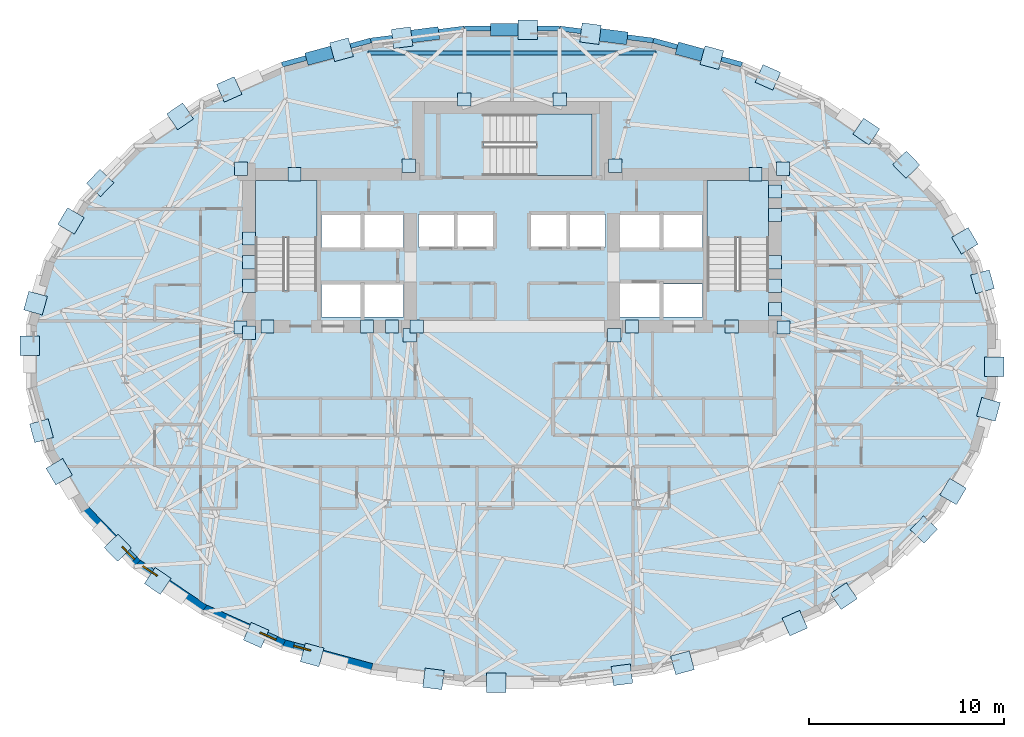
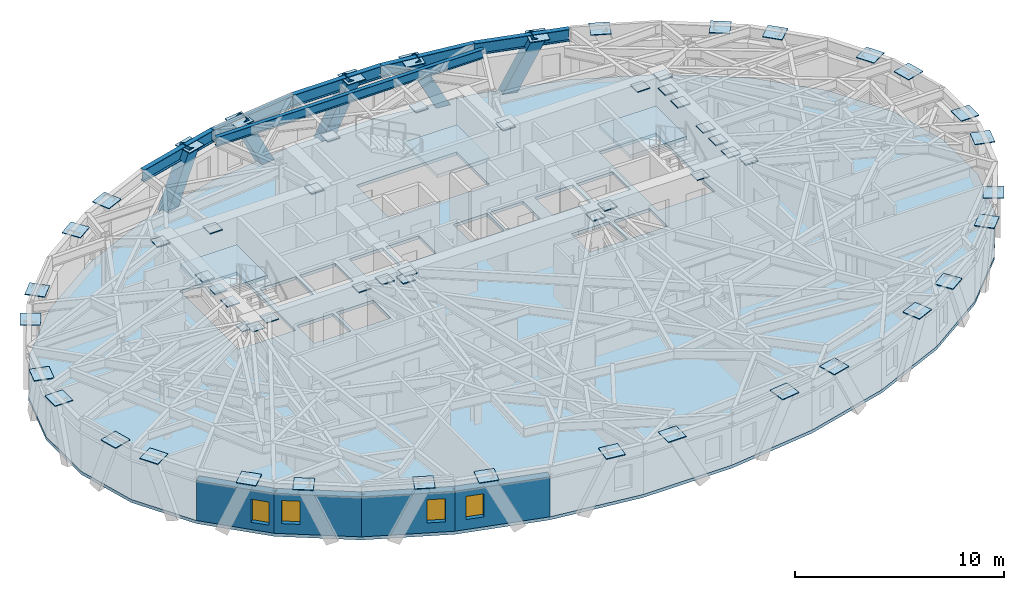
# One storey, part 5 of 15: 59 plates, 6 beams, 5 members, 4 slabs, 4 walls, 4 windows, 4 openings, 3 elements without a shape of their own.
"""IFC4 building model written with IfcOpenShell, lengths in metres."""

from ifc_helpers import new_model, si_unit, direction, frame, frame_2d, origin, origin_2d, place, context, subcontext, project, spatial, polyline, rectangle, hollow_rectangle, i_section, outline, extrude, material, layer, layer_set, material_profile, profile_set, type_object, element, fill, aggregate, save


model = new_model("IFC4")

# Units and contexts
model_context = context("Model", 3, precision=1e-05, world=origin(), true_north=direction((0.0, 1.0)))
body_context = subcontext(model_context, "Body", "Model", "MODEL_VIEW")
ifc_project = project(units=[si_unit("LENGTHUNIT", "METRE"), si_unit("AREAUNIT", "SQUARE_METRE"), si_unit("VOLUMEUNIT", "CUBIC_METRE"), si_unit("PLANEANGLEUNIT", "RADIAN"), si_unit("MASSUNIT", "GRAM", prefix="KILO")], contexts=[model_context])

# Site, building, storey
site_placement = place(None, origin())
site = spatial("IfcSite", under=ifc_project, at=site_placement, CompositionType="ELEMENT")
building_placement = place(site_placement, origin())
building = spatial("IfcBuilding", under=site, at=building_placement, Name="Keldmark Tower", CompositionType="ELEMENT")
storey_placement = place(building_placement, frame((0.0, 0.0, 159.800048828125)))
storey = spatial("IfcBuildingStorey", under=building, at=storey_placement, Name="L43", CompositionType="ELEMENT", Elevation=159.800048828125)

# Members
ifc_material_1 = material(Name="Steel ASTM A572 Grade 50", Category="steel")
ifc_material_profile_1 = material_profile(ifc_material_1, hollow_rectangle(XDim=0.64990234375, YDim=0.64990234375, WallThickness=0.0400390625, at=origin_2d()), Name="BOX650X650X40")
ifc_profile_set_1 = profile_set([ifc_material_profile_1], Name="Steel ASTM A572 Grade 50")
member_type = type_object("IfcMemberType", Name="Diagrid Zone 3 Brace BOX650X650X40", PredefinedType="BRACE", material=ifc_profile_set_1)
member_1_placement = place(storey_placement, frame((8.72265625, 15.707763671875, -0.260009765625), z_axis=(0.429124287044, -0.116606099608, 0.895687090341), x_axis=(0.262221871512, 0.965007611421, 0.0)))
element("IfcMember", 1, at=member_1_placement, inside=storey, type_object=member_type, Name="L43 Perimeter Diagrid Brace 03B", PredefinedType="BRACE", context=body_context, shape_type="SweptSolid", body=[
    extrude(hollow_rectangle(XDim=0.64990234375, YDim=0.64990234375, WallThickness=0.0400390625, at=origin_2d()), origin(), (0.0, 0.0, 1.0), 3.52783203125),
])
member_2_placement = place(storey_placement, frame((5.620361328125, 16.31982421875, -0.260009765625), z_axis=(-0.450833688803, 0.057945651957, 0.890725146417), x_axis=(-0.127481315617, -0.991840972217, 0.0)))
element("IfcMember", 2, at=member_2_placement, inside=storey, type_object=member_type, Name="L43 Perimeter Diagrid Brace 04A", PredefinedType="BRACE", context=body_context, shape_type="SweptSolid", body=[
    extrude(hollow_rectangle(XDim=0.64990234375, YDim=0.64990234375, WallThickness=0.0400390625, at=origin_2d()), origin(), (0.0, 0.0, 1.0), 3.547607421875),
])
member_3_placement = place(storey_placement, frame((-0.819091796875, 16.728515625, -0.260009765625), z_axis=(0.457597906554, 0.0, 0.889159241035), x_axis=(0.0, 1.0, 0.0)))
element("IfcMember", 3, at=member_3_placement, inside=storey, type_object=member_type, Name="L43 Perimeter Diagrid Brace 04B", PredefinedType="BRACE", context=body_context, shape_type="SweptSolid", body=[
    extrude(hollow_rectangle(XDim=0.64990234375, YDim=0.64990234375, WallThickness=0.0400390625, at=origin_2d()), origin(), (0.0, 0.0, 1.0), 3.5537109375),
])
member_4_placement = place(storey_placement, frame((-4.032470703125, 16.52294921875, -0.260009765625), z_axis=(-0.450833688803, -0.057945651957, 0.890725146417), x_axis=(0.127481315617, -0.991840972217, 0.0)))
element("IfcMember", 4, at=member_4_placement, inside=storey, type_object=member_type, Name="L43 Perimeter Diagrid Brace 05A", PredefinedType="BRACE", context=body_context, shape_type="SweptSolid", body=[
    extrude(hollow_rectangle(XDim=0.64990234375, YDim=0.64990234375, WallThickness=0.0400390625, at=origin_2d()), origin(), (0.0, 0.0, 1.0), 3.547607421875),
])
member_5_placement = place(storey_placement, frame((-10.24755859375, 15.2919921875, -0.260009765625), z_axis=(0.429184205547, 0.116534376353, 0.895667715639), x_axis=(-0.262037586807, 0.965057668277, 0.0)))
element("IfcMember", 5, at=member_5_placement, inside=storey, type_object=member_type, Name="L43 Perimeter Diagrid Brace 05B", PredefinedType="BRACE", context=body_context, shape_type="SweptSolid", body=[
    extrude(hollow_rectangle(XDim=0.64990234375, YDim=0.64990234375, WallThickness=0.0400390625, at=origin_2d()), origin(), (0.0, 0.0, 1.0), 3.528076171875),
])

# Beams
ifc_material_2 = material(Name="Steel ASTM A992 Grade 50", Category="steel")
ifc_material_profile_2 = material_profile(ifc_material_2, i_section(OverallWidth=0.2099609375, OverallDepth=0.537109375, WebThickness=0.010986328125, FlangeThickness=0.017333984375, at=origin_2d()), Name="W21X68")
ifc_profile_set_2 = profile_set([ifc_material_profile_2], Name="Steel ASTM A992 Grade 50")
beam_type_1 = type_object("IfcBeamType", Name="Radial Tie Girder W21X68", PredefinedType="BEAM", material=ifc_profile_set_2)
beam_1_placement = place(storey_placement, frame((-7.376953125, 15.538330078125, 2.75146484375), z_axis=(1.0, 0.0, 0.0), x_axis=(0.0, 1.0, 0.0)))
element("IfcBeam", 6, at=beam_1_placement, inside=storey, type_object=beam_type_1, Name="L43 North Outer Header Girder FG-TCN-H1", PredefinedType="BEAM", context=body_context, shape_type="SweptSolid", body=[
    extrude(i_section(OverallWidth=0.2099609375, OverallDepth=0.537109375, WebThickness=0.010986328125, FlangeThickness=0.017333984375, at=origin_2d()), origin(), (0.0, 0.0, 1.0), 14.75390625),
])
ifc_material_3 = material(Name="Steel ASTM A992 Grade 50", Category="steel")
ifc_material_profile_3 = material_profile(ifc_material_3, i_section(OverallWidth=0.256103515625, OverallDepth=0.693115234375, WebThickness=0.014404296875, FlangeThickness=0.023681640625, at=origin_2d()), Name="W27X114")
ifc_profile_set_3 = profile_set([ifc_material_profile_3], Name="Steel ASTM A992 Grade 50")
beam_type_2 = type_object("IfcBeamType", Name="Spandrel Ring Beam W27X114", PredefinedType="SPANDREL", material=ifc_profile_set_3)
beam_2_placement = place(storey_placement, frame((11.77880859375, 14.93798828125, 2.67333984375), z_axis=(-0.965024302167, 0.26216043986, 0.0), x_axis=(-0.26216043986, -0.965024302167, 0.0)))
element("IfcBeam", 7, at=beam_2_placement, inside=storey, type_object=beam_type_2, Name="L43 Perimeter Spandrel Ring Beam SRB-06", PredefinedType="SPANDREL", context=body_context, shape_type="SweptSolid", body=[
    extrude(i_section(OverallWidth=0.256103515625, OverallDepth=0.693115234375, WebThickness=0.014404296875, FlangeThickness=0.023681640625, at=origin_2d()), origin(), (0.0, 0.0, 1.0), 4.70654296875),
])
beam_3_placement = place(storey_placement, frame((7.23681640625, 16.171875, 2.67333984375), z_axis=(-0.991852091732, 0.127394772761, 0.0), x_axis=(-0.127394772761, -0.991852091732, 0.0)))
element("IfcBeam", 8, at=beam_3_placement, inside=storey, type_object=beam_type_2, Name="L43 Perimeter Spandrel Ring Beam SRB-07", PredefinedType="SPANDREL", context=body_context, shape_type="SweptSolid", body=[
    extrude(i_section(OverallWidth=0.256103515625, OverallDepth=0.693115234375, WebThickness=0.014404296875, FlangeThickness=0.023681640625, at=origin_2d()), origin(), (0.0, 0.0, 1.0), 4.8369140625),
])
beam_4_placement = place(storey_placement, frame((2.439208984375, 16.7880859375, 2.67333984375), z_axis=(-1.0, 0.0, 0.0), x_axis=(0.0, -1.0, 0.0)))
element("IfcBeam", 9, at=beam_4_placement, inside=storey, type_object=beam_type_2, Name="L43 Perimeter Spandrel Ring Beam SRB-08", PredefinedType="SPANDREL", context=body_context, shape_type="SweptSolid", body=[
    extrude(i_section(OverallWidth=0.256103515625, OverallDepth=0.693115234375, WebThickness=0.014404296875, FlangeThickness=0.023681640625, at=origin_2d()), origin(), (0.0, 0.0, 1.0), 4.87841796875),
])
beam_5_placement = place(storey_placement, frame((-2.439208984375, 16.7880859375, 2.67333984375), z_axis=(-0.991852091732, -0.127394772761, 0.0), x_axis=(0.127394772761, -0.991852091732, 0.0)))
element("IfcBeam", 10, at=beam_5_placement, inside=storey, type_object=beam_type_2, Name="L43 Perimeter Spandrel Ring Beam SRB-09", PredefinedType="SPANDREL", context=body_context, shape_type="SweptSolid", body=[
    extrude(i_section(OverallWidth=0.256103515625, OverallDepth=0.693115234375, WebThickness=0.014404296875, FlangeThickness=0.023681640625, at=origin_2d()), origin(), (0.0, 0.0, 1.0), 4.8369140625),
])
beam_6_placement = place(storey_placement, frame((-7.23681640625, 16.171875, 2.67333984375), z_axis=(-0.965024302167, -0.26216043986, 0.0), x_axis=(0.26216043986, -0.965024302167, 0.0)))
element("IfcBeam", 11, at=beam_6_placement, inside=storey, type_object=beam_type_2, Name="L43 Perimeter Spandrel Ring Beam SRB-10", PredefinedType="SPANDREL", context=body_context, shape_type="SweptSolid", body=[
    extrude(i_section(OverallWidth=0.256103515625, OverallDepth=0.693115234375, WebThickness=0.014404296875, FlangeThickness=0.023681640625, at=origin_2d()), origin(), (0.0, 0.0, 1.0), 4.70654296875),
])

# Plates
ifc_material_4 = material(Name="Steel ASTM A572 Grade 50", Category="steel")
ifc_layer_1 = layer(ifc_material_4, 0.06005859375)
ifc_layer_set_1 = layer_set([ifc_layer_1], Name="Steel ASTM A572 Grade 50")
plate_type_1 = type_object("IfcPlateType", Name="Belt Truss Kink Node Assembly KN01 60 mm", PredefinedType="USERDEFINED", material=ifc_layer_set_1)
for number, where, z_axis, x_axis, name in (
    (12, (13.91162109375, 1.473388671875, 2.72412109375), (0.0, 0.0, 1.0), (1.0, 0.0, 0.0), "L43 Core Wall Cast-In Embed Plate 1265"),
    (13, (13.878173828125, 9.608154296875, 2.72412109375), (0.0, 0.0, 1.0), (1.0, 0.0, 0.0), "L43 Core Wall Cast-In Embed Plate 1266"),
    (14, (5.28515625, 9.758544921875, 2.72412109375), (0.0, 0.0, 1.0), (1.0, 0.0, 0.0), "L43 Core Wall Cast-In Embed Plate 1267"),
    (15, (-5.28515625, 9.758544921875, 2.72412109375), (0.0, 0.0, 1.0), (1.0, 0.0, 0.0), "L43 Core Wall Cast-In Embed Plate 1268"),
    (16, (-13.878173828125, 9.608154296875, 2.72412109375), (0.0, 0.0, 1.0), (1.0, 0.0, 0.0), "L43 Core Wall Cast-In Embed Plate 1269"),
    (17, (-13.91162109375, 1.473388671875, 2.72412109375), (0.0, 0.0, 1.0), (1.0, 0.0, 0.0), "L43 Core Wall Cast-In Embed Plate 1270"),
    (18, (-5.24072265625, 1.08251953125, 2.72412109375), (0.0, 0.0, 1.0), (1.0, 0.0, 0.0), "L43 Core Wall Cast-In Embed Plate 1271"),
    (19, (5.24072265625, 1.08251953125, 2.72412109375), (0.0, 0.0, 1.0), (1.0, 0.0, 0.0), "L43 Core Wall Cast-In Embed Plate 1272"),
    (20, (13.47509765625, 7.235595703125, 2.72412109375), (0.0, 0.0, 1.0), (1.0, 0.0, 0.0), "L43 Core Wall Cast-In Embed Plate 1273"),
    (21, (-13.47509765625, 3.6142578125, 2.72412109375), (0.0, 0.0, 1.0), (1.0, 0.0, 0.0), "L43 Core Wall Cast-In Embed Plate 1274"),
    (22, (11.25, 1.52490234375, 2.72412109375), (0.0, 0.0, 1.0), (1.0, 0.0, 0.0), "L43 Core Wall Cast-In Embed Plate 1275"),
    (23, (13.47509765625, 4.8212890625, 2.72412109375), (0.0, 0.0, 1.0), (1.0, 0.0, 0.0), "L43 Core Wall Cast-In Embed Plate 1276"),
    (24, (13.47509765625, 8.44287109375, 2.72412109375), (0.0, 0.0, 1.0), (1.0, 0.0, 0.0), "L43 Core Wall Cast-In Embed Plate 1277"),
    (25, (12.468017578125, 9.324951171875, 2.72412109375), (0.0, 0.0, 1.0), (1.0, 0.0, 0.0), "L43 Core Wall Cast-In Embed Plate 1278"),
    (26, (-13.47509765625, 6.028564453125, 2.72412109375), (0.0, 0.0, 1.0), (1.0, 0.0, 0.0), "L43 Core Wall Cast-In Embed Plate 1279"),
    (27, (-13.47509765625, 1.199951171875, 2.72412109375), (0.0, 0.0, 1.0), (1.0, 0.0, 0.0), "L43 Core Wall Cast-In Embed Plate 1280"),
    (28, (-12.52490234375, 1.52490234375, 2.72412109375), (0.0, 0.0, 1.0), (1.0, 0.0, 0.0), "L43 Core Wall Cast-In Embed Plate 1281"),
    (29, (-6.14990234375, 1.52490234375, 2.72412109375), (0.0, 0.0, 1.0), (1.0, 0.0, 0.0), "L43 Core Wall Cast-In Embed Plate 1282"),
    (30, (-7.425048828125, 1.52490234375, 2.72412109375), (0.0, 0.0, 1.0), (1.0, 0.0, 0.0), "L43 Core Wall Cast-In Embed Plate 1283"),
    (31, (6.14990234375, 1.52490234375, 2.72412109375), (0.0, 0.0, 1.0), (1.0, 0.0, 0.0), "L43 Core Wall Cast-In Embed Plate 1284"),
    (32, (-4.875, 1.52490234375, 2.72412109375), (0.0, 0.0, 1.0), (1.0, 0.0, 0.0), "L43 Core Wall Cast-In Embed Plate 1285"),
    (33, (13.47509765625, 2.406982421875, 2.72412109375), (0.0, 0.0, 1.0), (1.0, 0.0, 0.0), "L43 Core Wall Cast-In Embed Plate 1286"),
    (34, (13.47509765625, 3.6142578125, 2.72412109375), (0.0, 0.0, 1.0), (1.0, 0.0, 0.0), "L43 Core Wall Cast-In Embed Plate 1287"),
    (35, (2.439208984375, 13.14990234375, 2.72412109375), (0.0, 0.0, 1.0), (1.0, 0.0, 0.0), "L43 Core Wall Cast-In Embed Plate 1288"),
    (36, (-2.439208984375, 13.14990234375, 2.72412109375), (0.0, 0.0, 1.0), (1.0, 0.0, 0.0), "L43 Core Wall Cast-In Embed Plate 1289"),
    (37, (-11.1357421875, 9.324951171875, 2.72412109375), (0.0, 0.0, 1.0), (1.0, 0.0, 0.0), "L43 Core Wall Cast-In Embed Plate 1290"),
    (38, (-13.47509765625, 4.8212890625, 2.72412109375), (0.0, 0.0, 1.0), (1.0, 0.0, 0.0), "L43 Core Wall Cast-In Embed Plate 1291"),
):
    element("IfcPlate", number, at=place(storey_placement, frame(where, z_axis=z_axis, x_axis=x_axis)), inside=storey, type_object=plate_type_1, Name=name, ObjectType="CAP PLATE", PredefinedType="USERDEFINED", context=body_context, shape_type="SweptSolid", body=[
        extrude(rectangle(XDim=0.679931640625, YDim=0.679931640625, at=origin_2d()), origin(), (0.0, 0.0, 1.0), 0.054931640625),
    ])
ifc_material_5 = material(Name="Steel ASTM A572 Grade 50", Category="steel")
ifc_layer_2 = layer(ifc_material_5, 0.044921875)
ifc_layer_set_2 = layer_set([ifc_layer_2], Name="Steel ASTM A572 Grade 50")
plate_type_2 = type_object("IfcPlateType", Name="Diagrid Node Assembly DN04 45 mm", PredefinedType="USERDEFINED", material=ifc_layer_set_2)
for number, where, z_axis, x_axis, name in (
    (39, (24.10009765625, 3.815673828125, 2.87744140625), (0.0, 0.0, 1.0), (-0.269256011385, 0.963068637394, 0.0), "L43 Diagrid Node Assembly 01"),
    (40, (23.19287109375, 5.91455078125, 2.87744140625), (0.0, 0.0, 1.0), (-0.508891180174, 0.860830858381, 0.0), "L43 Diagrid Node Assembly 02"),
    (41, (20.192626953125, 9.8095703125, 2.87744140625), (0.0, 0.0, 1.0), (-0.694909425092, 0.719097275004, 0.0), "L43 Diagrid Node Assembly 03"),
    (42, (18.14697265625, 11.510498046875, 2.87744140625), (0.0, 0.0, 1.0), (-0.827766671236, 0.56107248907, 0.0), "L43 Diagrid Node Assembly 04"),
    (43, (13.10791015625, 14.28466796875, 2.87744140625), (0.0, 0.0, 1.0), (-0.913900054426, 0.405939269498, 0.0), "L43 Diagrid Node Assembly 05"),
    (44, (10.236572265625, 15.29638671875, 2.87744140625), (0.0, 0.0, 1.0), (-0.965016494472, 0.262189178641, 0.0), "L43 Diagrid Node Assembly 06"),
    (45, (4.02099609375, 16.525390625, 2.87744140625), (0.0, 0.0, 1.0), (-0.991850028246, 0.12741083733, 0.0), "L43 Diagrid Node Assembly 07"),
    (46, (0.80712890625, 16.728515625, 2.87744140625), (0.0, 0.0, 1.0), (-1.0, 0.0, 0.0), "L43 Diagrid Node Assembly 08"),
    (47, (-5.6318359375, 16.3173828125, 2.87744140625), (0.0, 0.0, 1.0), (-0.991850028246, -0.12741083733, 0.0), "L43 Diagrid Node Assembly 09"),
    (48, (-8.7333984375, 15.703125, 2.87744140625), (0.0, 0.0, 1.0), (-0.965016494472, -0.262189178641, 0.0), "L43 Diagrid Node Assembly 10"),
    (49, (-14.484619140625, 13.6708984375, 2.87744140625), (0.0, 0.0, 1.0), (-0.913900054426, -0.405939269498, 0.0), "L43 Diagrid Node Assembly 11"),
    (50, (-16.99853515625, 12.286376953125, 2.87744140625), (0.0, 0.0, 1.0), (-0.827766671236, -0.56107248907, 0.0), "L43 Diagrid Node Assembly 12"),
    (51, (-21.0947265625, 8.873291015625, 2.87744140625), (0.0, 0.0, 1.0), (-0.694909425092, -0.719097275004, 0.0), "L43 Diagrid Node Assembly 13"),
    (52, (-22.590576171875, 6.929931640625, 2.87744140625), (0.0, 0.0, 1.0), (-0.508891180174, -0.860830858381, 0.0), "L43 Diagrid Node Assembly 14"),
    (53, (-24.405517578125, 2.72021484375, 2.87744140625), (0.0, 0.0, 1.0), (-0.269256011385, -0.963068637394, 0.0), "L43 Diagrid Node Assembly 15"),
    (54, (-24.706298828125, 0.54541015625, 2.87744140625), (0.0, 0.0, 1.0), (0.0, -1.0, 0.0), "L43 Diagrid Node Assembly 16"),
    (55, (-24.10009765625, -3.815673828125, 2.87744140625), (0.0, 0.0, 1.0), (0.269256011385, -0.963068637394, 0.0), "L43 Diagrid Node Assembly 17"),
    (56, (-23.19287109375, -5.91455078125, 2.87744140625), (0.0, 0.0, 1.0), (0.508891180174, -0.860830858381, 0.0), "L43 Diagrid Node Assembly 18"),
    (57, (-20.192626953125, -9.8095703125, 2.87744140625), (0.0, 0.0, 1.0), (0.694909425092, -0.719097275004, 0.0), "L43 Diagrid Node Assembly 19"),
    (58, (-18.14697265625, -11.510498046875, 2.87744140625), (0.0, 0.0, 1.0), (0.827766671236, -0.56107248907, 0.0), "L43 Diagrid Node Assembly 20"),
    (59, (-13.10791015625, -14.28466796875, 2.87744140625), (0.0, 0.0, 1.0), (0.913900054426, -0.405939269498, 0.0), "L43 Diagrid Node Assembly 21"),
    (60, (-10.236572265625, -15.29638671875, 2.87744140625), (0.0, 0.0, 1.0), (0.965016494472, -0.262189178641, 0.0), "L43 Diagrid Node Assembly 22"),
    (61, (-4.02099609375, -16.525390625, 2.87744140625), (0.0, 0.0, 1.0), (0.991850028246, -0.12741083733, 0.0), "L43 Diagrid Node Assembly 23"),
    (62, (-0.80712890625, -16.728515625, 2.87744140625), (0.0, 0.0, 1.0), (1.0, 0.0, 0.0), "L43 Diagrid Node Assembly 24"),
    (63, (5.6318359375, -16.3173828125, 2.87744140625), (0.0, 0.0, 1.0), (0.991850028246, 0.12741083733, 0.0), "L43 Diagrid Node Assembly 25"),
    (64, (8.7333984375, -15.703125, 2.87744140625), (0.0, 0.0, 1.0), (0.965016494472, 0.262189178641, 0.0), "L43 Diagrid Node Assembly 26"),
    (65, (14.484619140625, -13.6708984375, 2.87744140625), (0.0, 0.0, 1.0), (0.913900054426, 0.405939269498, 0.0), "L43 Diagrid Node Assembly 27"),
    (66, (16.99853515625, -12.286376953125, 2.87744140625), (0.0, 0.0, 1.0), (0.827766671236, 0.56107248907, 0.0), "L43 Diagrid Node Assembly 28"),
    (67, (21.0947265625, -8.873291015625, 2.87744140625), (0.0, 0.0, 1.0), (0.694909425092, 0.719097275004, 0.0), "L43 Diagrid Node Assembly 29"),
    (68, (22.590576171875, -6.929931640625, 2.87744140625), (0.0, 0.0, 1.0), (0.508891180174, 0.860830858381, 0.0), "L43 Diagrid Node Assembly 30"),
    (69, (24.405517578125, -2.72021484375, 2.87744140625), (0.0, 0.0, 1.0), (0.269256011385, 0.963068637394, 0.0), "L43 Diagrid Node Assembly 31"),
    (70, (24.706298828125, -0.54541015625, 2.87744140625), (0.0, 0.0, 1.0), (0.0, 1.0, 0.0), "L43 Diagrid Node Assembly 32"),
):
    element("IfcPlate", number, at=place(storey_placement, frame(where, z_axis=z_axis, x_axis=x_axis)), inside=storey, type_object=plate_type_2, Name=name, ObjectType="GUSSET", PredefinedType="USERDEFINED", context=body_context, shape_type="SweptSolid", body=[
        extrude(rectangle(XDim=0.989990234375, YDim=0.989990234375, at=origin_2d()), origin(), (0.0, 0.0, 1.0), 0.044921875),
    ])

# Slab
ifc_material_6 = material(Name="Concrete C35/45", Category="concrete")
ifc_layer_3 = layer(ifc_material_6, 0.179931640625)
ifc_layer_set_3 = layer_set([ifc_layer_3], Name="Concrete C35/45")
slab_type_1 = type_object("IfcSlabType", Name="Hotel and Residential Slab 180 mm", PredefinedType="FLOOR", material=ifc_layer_set_3)
slab_1_placement = place(storey_placement, frame((0.0, 0.0, -0.179931640625)))
element("IfcSlab", 71, at=slab_1_placement, inside=storey, type_object=slab_type_1, Name="L43 Composite Structural Floor Slab", PredefinedType="FLOOR", context=body_context, shape_type="SweptSolid", body=[
    extrude(outline(polyline([(24.76611328125, 1.653564453125), (23.85693359375, 4.90576171875), (22.036865234375, 7.984619140625), (19.349853515625, 10.7646484375), (15.8798828125, 13.11669921875), (11.77880859375, 14.93798828125), (7.23681640625, 16.171875), (2.439208984375, 16.7880859375), (-2.439208984375, 16.7880859375), (-7.23681640625, 16.171875), (-11.77880859375, 14.93798828125), (-15.8798828125, 13.11669921875), (-19.349853515625, 10.7646484375), (-22.036865234375, 7.984619140625), (-23.85693359375, 4.90576171875), (-24.76611328125, 1.653564453125), (-24.76611328125, -1.653564453125), (-23.85693359375, -4.90576171875), (-22.036865234375, -7.984619140625), (-19.349853515625, -10.7646484375), (-15.8798828125, -13.11669921875), (-11.77880859375, -14.93798828125), (-7.23681640625, -16.171875), (-2.439208984375, -16.7880859375), (2.439208984375, -16.7880859375), (7.23681640625, -16.171875), (11.77880859375, -14.93798828125), (15.8798828125, -13.11669921875), (19.349853515625, -10.7646484375), (22.036865234375, -7.984619140625), (23.85693359375, -4.90576171875), (24.76611328125, -1.653564453125), (24.76611328125, 1.653564453125)]), holes=[polyline([(-10.0, 3.385009765625), (-10.0, 9.0), (-13.14990234375, 9.0), (-13.14990234375, 3.385009765625), (-10.0, 3.385009765625)]), polyline([(13.14990234375, 3.385009765625), (13.14990234375, 9.0), (10.0, 9.0), (10.0, 3.385009765625), (13.14990234375, 3.385009765625)]), polyline([(-1.43994140625, 9.25), (4.10498046875, 9.25), (4.10498046875, 12.39990234375), (-1.43994140625, 12.39990234375), (-1.43994140625, 9.25)]), polyline([(-9.75, 2.0), (-7.75, 2.0), (-7.75, 3.699951171875), (-9.75, 3.699951171875), (-9.75, 2.0)]), polyline([(7.75, 2.0), (9.75, 2.0), (9.75, 3.699951171875), (7.75, 3.699951171875), (7.75, 2.0)]), polyline([(5.449951171875, 2.0), (7.550048828125, 2.0), (7.550048828125, 3.75), (5.449951171875, 3.75), (5.449951171875, 2.0)]), polyline([(-4.800048828125, 5.60009765625), (-2.949951171875, 5.60009765625), (-2.949951171875, 7.25), (-4.800048828125, 7.25), (-4.800048828125, 5.60009765625)]), polyline([(-2.800048828125, 5.60009765625), (-0.949951171875, 5.60009765625), (-0.949951171875, 7.25), (-2.800048828125, 7.25), (-2.800048828125, 5.60009765625)]), polyline([(0.949951171875, 5.60009765625), (2.800048828125, 5.60009765625), (2.800048828125, 7.25), (0.949951171875, 7.25), (0.949951171875, 5.60009765625)]), polyline([(2.949951171875, 5.60009765625), (4.800048828125, 5.60009765625), (4.800048828125, 7.25), (2.949951171875, 7.25), (2.949951171875, 5.60009765625)]), polyline([(-9.75, 5.550048828125), (-7.75, 5.550048828125), (-7.75, 7.25), (-9.75, 7.25), (-9.75, 5.550048828125)]), polyline([(-7.550048828125, 5.550048828125), (-5.550048828125, 5.550048828125), (-5.550048828125, 7.25), (-7.550048828125, 7.25), (-7.550048828125, 5.550048828125)]), polyline([(-7.550048828125, 2.0), (-5.550048828125, 2.0), (-5.550048828125, 3.699951171875), (-7.550048828125, 3.699951171875), (-7.550048828125, 2.0)]), polyline([(5.449951171875, 5.550048828125), (7.550048828125, 5.550048828125), (7.550048828125, 7.25), (5.449951171875, 7.25), (5.449951171875, 5.550048828125)]), polyline([(7.75, 5.550048828125), (9.75, 5.550048828125), (9.75, 7.25), (7.75, 7.25), (7.75, 5.550048828125)])]), origin(), (0.0, 0.0, 1.0), 0.179931640625),
])

# Stair, slab
ifc_material_7 = material(Name="Concrete C40/50", Category="concrete")
stair_type = type_object("IfcStairType", Name="Precast Concrete Core Exit Stair", PredefinedType="HALF_TURN_STAIR", material=ifc_material_7)
stair_1_placement = place(storey_placement, origin())
stair_1 = element("IfcStair", 72, at=stair_1_placement, inside=storey, type_object=stair_type, Name="L43 Exit Stair ST1", PredefinedType="HALF_TURN_STAIR")
ifc_material_8 = material(Name="Concrete C40/50", Category="concrete")
ifc_layer_4 = layer(ifc_material_8, 0.199951171875)
ifc_layer_set_4 = layer_set([ifc_layer_4], Name="Concrete C40/50")
slab_type_2 = type_object("IfcSlabType", Name="Reinforced Concrete Stair Landing 200 mm", PredefinedType="LANDING", material=ifc_layer_set_4)
slab_2_placement = place(storey_placement, frame((0.0, 0.0, 1.39990234375)))
slab_2 = element("IfcSlab", 73, at=slab_2_placement, type_object=slab_type_2, Name="ST1 landing 1", PredefinedType="LANDING", context=body_context, shape_type="SweptSolid", body=[
    extrude(outline(polyline([(-10.0, 6.050048828125), (-10.0, 9.0), (-13.14990234375, 9.0), (-13.14990234375, 6.050048828125), (-10.0, 6.050048828125)])), origin(), (0.0, 0.0, 1.0), 0.199951171875),
])
aggregate(stair_1, [slab_2])

stair_2_placement = place(storey_placement, origin())
stair_2 = element("IfcStair", 74, at=stair_2_placement, inside=storey, type_object=stair_type, Name="L43 Exit Stair ST2", PredefinedType="HALF_TURN_STAIR")
slab_3_placement = place(storey_placement, frame((0.0, 0.0, 1.39990234375)))
slab_3 = element("IfcSlab", 75, at=slab_3_placement, type_object=slab_type_2, Name="ST2 landing 1", PredefinedType="LANDING", context=body_context, shape_type="SweptSolid", body=[
    extrude(outline(polyline([(13.14990234375, 6.050048828125), (13.14990234375, 9.0), (10.0, 9.0), (10.0, 6.050048828125), (13.14990234375, 6.050048828125)])), origin(), (0.0, 0.0, 1.0), 0.199951171875),
])
aggregate(stair_2, [slab_3])

stair_3_placement = place(storey_placement, origin())
stair_3 = element("IfcStair", 76, at=stair_3_placement, inside=storey, type_object=stair_type, Name="L43 Exit Stair ST3", PredefinedType="HALF_TURN_STAIR")
slab_4_placement = place(storey_placement, frame((0.0, 0.0, 1.39990234375)))
slab_4 = element("IfcSlab", 77, at=slab_4_placement, type_object=slab_type_2, Name="ST3 landing 1", PredefinedType="LANDING", context=body_context, shape_type="SweptSolid", body=[
    extrude(outline(polyline([(1.22509765625, 9.25), (4.10498046875, 9.25), (4.10498046875, 12.39990234375), (1.22509765625, 12.39990234375), (1.22509765625, 9.25)])), origin(), (0.0, 0.0, 1.0), 0.199951171875),
])
aggregate(stair_3, [slab_4])

# Wall, opening, window
ifc_material_9 = material(Name="Ironspot Manganese Brick and Kasota Buff Limestone Spandrel Assembly", Category="masonry")
ifc_layer_5 = layer(ifc_material_9, 0.43994140625)
ifc_layer_set_5 = layer_set([ifc_layer_5], Name="Ironspot Manganese Brick and Kasota Buff Limestone Spandrel Assembly")
wall_type = type_object("IfcWallType", Name="Tower Brick Pier and Spandrel Wall 440 mm", PredefinedType="STANDARD", material=ifc_layer_set_5)
wall_1_placement = place(storey_placement, frame((-19.191650390625, -10.61181640625, 0.0), z_axis=(0.0, 0.0, 1.0), x_axis=(-0.694975307772, 0.719033602544, 0.0)))
wall_1 = element("IfcWall", 78, at=wall_1_placement, inside=storey, type_object=wall_type, Name="L43 Exterior Brick and Spandrel Wall 19", PredefinedType="STANDARD", context=body_context, shape_type="SweptSolid", body=[
    extrude(rectangle(XDim=3.866455078125, YDim=0.43994140625, at=frame_2d((1.93310546875, 0.0))), origin(), (0.0, 0.0, 1.0), 2.31494140625),
])
opening_1_placement = place(wall_1_placement, frame((0.24951171875, 0.0, 0.419921875)))
opening_1 = element("IfcOpeningElement", 79, at=opening_1_placement, cuts=wall_1, Name="Opening W-09", PredefinedType="OPENING", context=body_context, shape_type="SweptSolid", body=[
    extrude(rectangle(XDim=0.89990234375, YDim=1.35009765625, at=frame_2d((0.449951171875, 0.675048828125))), frame((0.0, 0.22998046875, 0.0), z_axis=(0.0, -1.0, 0.0), x_axis=(1.0, 0.0, 0.0)), (0.0, 0.0, 1.0), 0.4599609375),
])
ifc_material_10 = material(Name="Thermally Broken Anodized Aluminum and Triple Low-E Argon Glazing", Category="aluminium")
window_type = type_object("IfcWindowType", Name="Corner Pier Deep-Set Window 900x1350", PartitioningType="SINGLE_PANEL", PredefinedType="WINDOW", material=ifc_material_10)
window_1_placement = place(opening_1_placement, origin())
window_1 = element("IfcWindow", 80, at=window_1_placement, inside=storey, type_object=window_type, Name="L43 Deep-Set Window 19", OverallHeight=1.35009765625, OverallWidth=0.89990234375, PartitioningType="SINGLE_PANEL", PredefinedType="WINDOW", context=body_context, shape_type="SweptSolid", body=[
    extrude(rectangle(XDim=0.89990234375, YDim=1.35009765625, at=frame_2d((0.449951171875, 0.675048828125))), frame((0.0, -0.010009765625, 0.0), z_axis=(0.0, -1.0, 0.0), x_axis=(1.0, 0.0, 0.0)), (0.0, 0.0, 1.0), 0.06005859375),
])
fill(opening_1, window_1)

wall_2_placement = place(storey_placement, frame((-15.756591796875, -12.9345703125, 0.0), z_axis=(0.0, 0.0, 1.0), x_axis=(-0.827760762475, 0.561081206338, 0.0)))
wall_2 = element("IfcWall", 81, at=wall_2_placement, inside=storey, type_object=wall_type, Name="L43 Exterior Brick and Spandrel Wall 20", PredefinedType="STANDARD", context=body_context, shape_type="SweptSolid", body=[
    extrude(rectangle(XDim=4.19189453125, YDim=0.43994140625, at=frame_2d((2.095947265625, 0.0))), origin(), (0.0, 0.0, 1.0), 2.31494140625),
])
opening_2_placement = place(wall_2_placement, frame((2.9423828125, 0.0, 0.580078125)))
opening_2 = element("IfcOpeningElement", 82, at=opening_2_placement, cuts=wall_2, Name="Opening W-09", PredefinedType="OPENING", context=body_context, shape_type="SweptSolid", body=[
    extrude(rectangle(XDim=0.89990234375, YDim=1.35009765625, at=frame_2d((0.449951171875, 0.675048828125))), frame((0.0, 0.22998046875, 0.0), z_axis=(0.0, -1.0, 0.0), x_axis=(1.0, 0.0, 0.0)), (0.0, 0.0, 1.0), 0.4599609375),
])
window_2_placement = place(opening_2_placement, origin())
window_2 = element("IfcWindow", 83, at=window_2_placement, inside=storey, type_object=window_type, Name="L43 Deep-Set Window 20", OverallHeight=1.35009765625, OverallWidth=0.89990234375, PartitioningType="SINGLE_PANEL", PredefinedType="WINDOW", context=body_context, shape_type="SweptSolid", body=[
    extrude(rectangle(XDim=0.89990234375, YDim=1.35009765625, at=frame_2d((0.449951171875, 0.675048828125))), frame((0.0, -0.010009765625, 0.0), z_axis=(0.0, -1.0, 0.0), x_axis=(1.0, 0.0, 0.0)), (0.0, 0.0, 1.0), 0.06005859375),
])
fill(opening_2, window_2)

wall_3_placement = place(storey_placement, frame((-11.689697265625, -14.737060546875, 0.0), z_axis=(0.0, 0.0, 1.0), x_axis=(-0.913907994914, 0.405921392431, 0.0)))
wall_3 = element("IfcWall", 84, at=wall_3_placement, inside=storey, type_object=wall_type, Name="L43 Exterior Brick and Spandrel Wall 21", PredefinedType="STANDARD", context=body_context, shape_type="SweptSolid", body=[
    extrude(rectangle(XDim=4.4873046875, YDim=0.43994140625, at=frame_2d((2.24365234375, 0.0))), origin(), (0.0, 0.0, 1.0), 2.31494140625),
])
opening_3_placement = place(wall_3_placement, frame((0.448974609375, 0.0, 0.580078125)))
opening_3 = element("IfcOpeningElement", 85, at=opening_3_placement, cuts=wall_3, Name="Opening W-09", PredefinedType="OPENING", context=body_context, shape_type="SweptSolid", body=[
    extrude(rectangle(XDim=0.89990234375, YDim=1.35009765625, at=frame_2d((0.449951171875, 0.675048828125))), frame((0.0, 0.22998046875, 0.0), z_axis=(0.0, -1.0, 0.0), x_axis=(1.0, 0.0, 0.0)), (0.0, 0.0, 1.0), 0.4599609375),
])
window_3_placement = place(opening_3_placement, origin())
window_3 = element("IfcWindow", 86, at=window_3_placement, inside=storey, type_object=window_type, Name="L43 Deep-Set Window 21", OverallHeight=1.35009765625, OverallWidth=0.89990234375, PartitioningType="SINGLE_PANEL", PredefinedType="WINDOW", context=body_context, shape_type="SweptSolid", body=[
    extrude(rectangle(XDim=0.89990234375, YDim=1.35009765625, at=frame_2d((0.449951171875, 0.675048828125))), frame((0.0, -0.010009765625, 0.0), z_axis=(0.0, -1.0, 0.0), x_axis=(1.0, 0.0, 0.0)), (0.0, 0.0, 1.0), 0.06005859375),
])
fill(opening_3, window_3)

wall_4_placement = place(storey_placement, frame((-7.17919921875, -15.95947265625, 0.0), z_axis=(0.0, 0.0, 1.0), x_axis=(-0.965037424263, 0.262112132058, 0.0)))
wall_4 = element("IfcWall", 87, at=wall_4_placement, inside=storey, type_object=wall_type, Name="L43 Exterior Brick and Spandrel Wall 22", PredefinedType="STANDARD", context=body_context, shape_type="SweptSolid", body=[
    extrude(rectangle(XDim=4.70654296875, YDim=0.43994140625, at=frame_2d((2.353271484375, 0.0))), origin(), (0.0, 0.0, 1.0), 2.31494140625),
])
opening_4_placement = place(wall_4_placement, frame((3.260986328125, 0.0, 0.580078125)))
opening_4 = element("IfcOpeningElement", 88, at=opening_4_placement, cuts=wall_4, Name="Opening W-09", PredefinedType="OPENING", context=body_context, shape_type="SweptSolid", body=[
    extrude(rectangle(XDim=0.89990234375, YDim=1.35009765625, at=frame_2d((0.449951171875, 0.675048828125))), frame((0.0, 0.22998046875, 0.0), z_axis=(0.0, -1.0, 0.0), x_axis=(1.0, 0.0, 0.0)), (0.0, 0.0, 1.0), 0.4599609375),
])
window_4_placement = place(opening_4_placement, origin())
window_4 = element("IfcWindow", 89, at=window_4_placement, inside=storey, type_object=window_type, Name="L43 Deep-Set Window 22", OverallHeight=1.35009765625, OverallWidth=0.89990234375, PartitioningType="SINGLE_PANEL", PredefinedType="WINDOW", context=body_context, shape_type="SweptSolid", body=[
    extrude(rectangle(XDim=0.89990234375, YDim=1.35009765625, at=frame_2d((0.449951171875, 0.675048828125))), frame((0.0, -0.010009765625, 0.0), z_axis=(0.0, -1.0, 0.0), x_axis=(1.0, 0.0, 0.0)), (0.0, 0.0, 1.0), 0.06005859375),
])
fill(opening_4, window_4)

save(model, "model.ifc")
